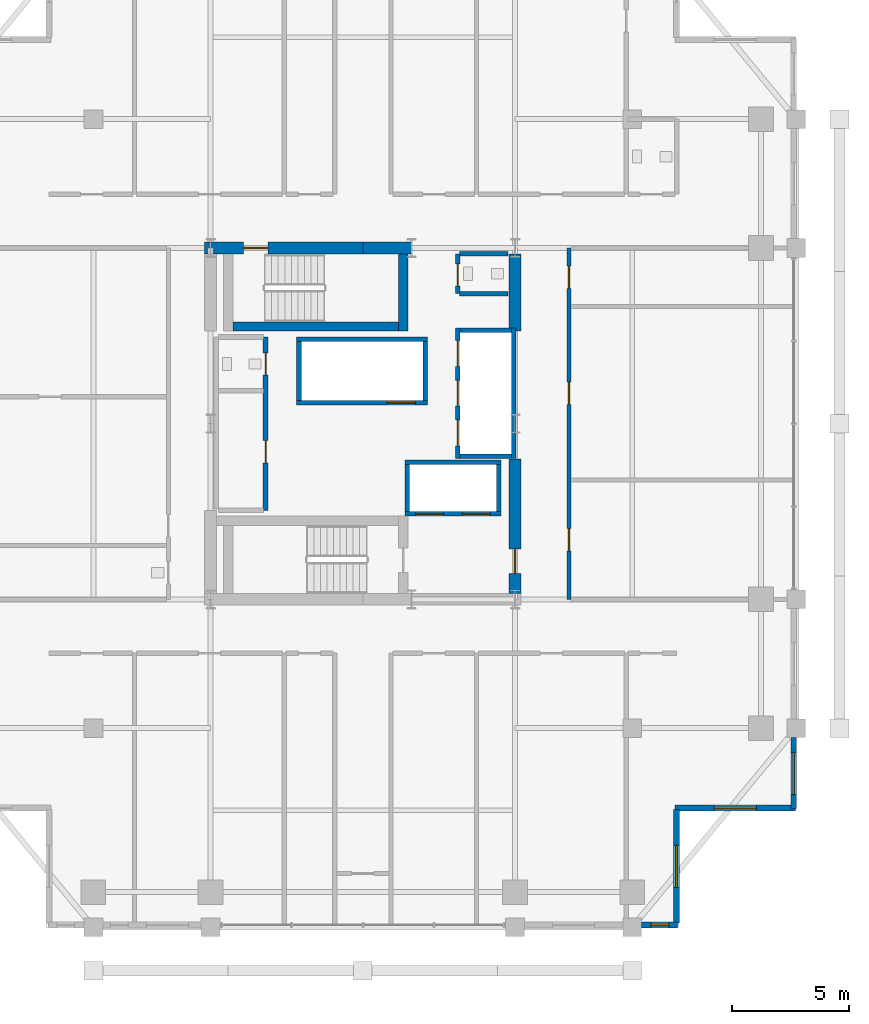
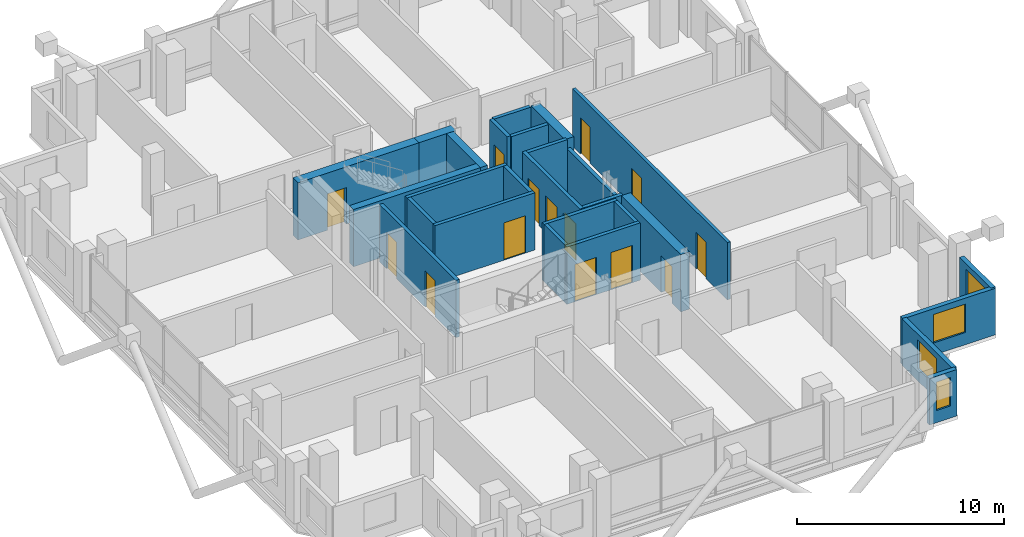
# One storey, part 19 of 23: 27 walls, 14 doors, 4 windows, 18 openings.
"""IFC4 building model written with IfcOpenShell, lengths in metres."""

from ifc_helpers import new_model, si_unit, direction, frame, frame_2d, origin, place, context, subcontext, project, spatial, rectangle, extrude, material, layer, layer_set, type_object, element, fill, save


model = new_model("IFC4")

# Units and contexts
model_context = context("Model", 3, precision=1e-05, world=origin(), true_north=direction((0.0, 1.0)))
body_context = subcontext(model_context, "Body", "Model", "MODEL_VIEW")
ifc_project = project(units=[si_unit("LENGTHUNIT", "METRE"), si_unit("AREAUNIT", "SQUARE_METRE"), si_unit("VOLUMEUNIT", "CUBIC_METRE"), si_unit("PLANEANGLEUNIT", "RADIAN"), si_unit("MASSUNIT", "GRAM", prefix="KILO")], contexts=[model_context])

# Site, building, storey
site_placement = place(None, origin())
site = spatial("IfcSite", under=ifc_project, at=site_placement, CompositionType="ELEMENT")
building_placement = place(site_placement, origin())
building = spatial("IfcBuilding", under=site, at=building_placement, Name="Barlavira Tower and Art Museum", CompositionType="ELEMENT")
storey_placement = place(building_placement, frame((0.0, 0.0, 205.199951171875)))
storey = spatial("IfcBuildingStorey", under=building, at=storey_placement, Name="L53", CompositionType="ELEMENT", Elevation=205.199951171875)

# Wall, opening, door
ifc_material_1 = material(Name="Concrete C60", Category="concrete")
ifc_layer_1 = layer(ifc_material_1, 0.5, Name="Concrete C60")
ifc_layer_set_1 = layer_set([ifc_layer_1], Name="Concrete C60")
wall_type_1 = type_object("IfcWallType", Name="Core Structural Shear Wall 500 Concrete C60", PredefinedType="SHEAR", material=ifc_layer_set_1)
wall_1_placement = place(storey_placement, frame((-6.75, 7.5, 0.0), z_axis=(0.0, 0.0, 1.0), x_axis=(1.0, 0.0, 0.0)))
wall_1 = element("IfcWall", 1, at=wall_1_placement, inside=storey, type_object=wall_type_1, Name="L53 Core Shear Wall CS-NW", PredefinedType="SHEAR", context=body_context, shape_type="SweptSolid", body=[
    extrude(rectangle(XDim=6.75, YDim=0.5, at=frame_2d((3.375, 0.0))), origin(), (0.0, 0.0, 1.0), 3.380126953125),
])
opening_1_placement = place(wall_1_placement, frame((1.64990234375, 0.0, 0.0)))
opening_1 = element("IfcOpeningElement", 2, at=opening_1_placement, cuts=wall_1, Name="Opening FD-90", PredefinedType="OPENING", context=body_context, shape_type="SweptSolid", body=[
    extrude(rectangle(XDim=1.050048828125, YDim=2.14990234375, at=frame_2d((0.52490234375, 1.074951171875))), frame((0.0, 0.260009765625, 0.0), z_axis=(0.0, -1.0, 0.0), x_axis=(1.0, 0.0, 0.0)), (0.0, 0.0, 1.0), 0.52001953125),
])
ifc_material_2 = material(Name="Brushed stainless steel", Category="steel")
door_type_1 = type_object("IfcDoorType", Name="Stair and Refuge Fire Door 1050x2150 FD90S", OperationType="NOTDEFINED", PredefinedType="DOOR", material=ifc_material_2)
door_1_placement = place(opening_1_placement, origin())
door_1 = element("IfcDoor", 3, at=door_1_placement, inside=storey, type_object=door_type_1, Name="L53 Stair ST-T2 Fire Door", OperationType="SINGLE_SWING_LEFT", OverallHeight=2.14990234375, OverallWidth=1.050048828125, PredefinedType="DOOR", context=body_context, shape_type="SweptSolid", body=[
    extrude(rectangle(XDim=1.050048828125, YDim=2.14990234375, at=frame_2d((0.52490234375, 1.074951171875))), frame((0.0, 0.02490234375, 0.0), z_axis=(0.0, -1.0, 0.0), x_axis=(1.0, 0.0, 0.0)), (0.0, 0.0, 1.0), 0.050048828125),
])
fill(opening_1, door_1)

# Wall
wall_2_placement = place(storey_placement, frame((0.0, 7.5, 0.0), z_axis=(0.0, 0.0, 1.0), x_axis=(1.0, 0.0, 0.0)))
element("IfcWall", 4, at=wall_2_placement, inside=storey, type_object=wall_type_1, Name="L53 Core Shear Wall CS-EN", PredefinedType="SHEAR", context=body_context, shape_type="SweptSolid", body=[
    extrude(rectangle(XDim=2.080078125, YDim=0.5, at=frame_2d((1.0400390625, 0.0))), origin(), (0.0, 0.0, 1.0), 3.380126953125),
])

# Wall, opening, door
wall_3_placement = place(storey_placement, frame((6.5, -7.25, 0.0), z_axis=(0.0, 0.0, 1.0), x_axis=(0.0, 1.0, 0.0)))
wall_3 = element("IfcWall", 5, at=wall_3_placement, inside=storey, type_object=wall_type_1, Name="L53 Core Shear Wall CS-E1", PredefinedType="SHEAR", context=body_context, shape_type="SweptSolid", body=[
    extrude(rectangle(XDim=5.75, YDim=0.5, at=frame_2d((2.875, 0.0))), origin(), (0.0, 0.0, 1.0), 3.380126953125),
])
opening_2_placement = place(wall_3_placement, frame((0.85009765625, 0.0, 0.0)))
opening_2 = element("IfcOpeningElement", 6, at=opening_2_placement, cuts=wall_3, Name="Opening FD-90", PredefinedType="OPENING", context=body_context, shape_type="SweptSolid", body=[
    extrude(rectangle(XDim=1.050048828125, YDim=2.14990234375, at=frame_2d((0.52490234375, 1.074951171875))), frame((0.0, 0.260009765625, 0.0), z_axis=(0.0, -1.0, 0.0), x_axis=(1.0, 0.0, 0.0)), (0.0, 0.0, 1.0), 0.52001953125),
])
door_2_placement = place(opening_2_placement, origin())
door_2 = element("IfcDoor", 7, at=door_2_placement, inside=storey, type_object=door_type_1, Name="L53 Firefighting Lobby Entry Fire Door", OperationType="SINGLE_SWING_LEFT", OverallHeight=2.14990234375, OverallWidth=1.050048828125, PredefinedType="DOOR", context=body_context, shape_type="SweptSolid", body=[
    extrude(rectangle(XDim=1.050048828125, YDim=2.14990234375, at=frame_2d((0.52490234375, 1.074951171875))), frame((0.0, 0.02490234375, 0.0), z_axis=(0.0, -1.0, 0.0), x_axis=(1.0, 0.0, 0.0)), (0.0, 0.0, 1.0), 0.050048828125),
])
fill(opening_2, door_2)

# Wall
wall_4_placement = place(storey_placement, frame((6.5, 3.949951171875, 0.0), z_axis=(0.0, 0.0, 1.0), x_axis=(0.0, 1.0, 0.0)))
element("IfcWall", 8, at=wall_4_placement, inside=storey, type_object=wall_type_1, Name="L53 Core Shear Wall CS-E2", PredefinedType="SHEAR", context=body_context, shape_type="SweptSolid", body=[
    extrude(rectangle(XDim=3.300048828125, YDim=0.5, at=frame_2d((1.64990234375, 0.0))), origin(), (0.0, 0.0, 1.0), 3.380126953125),
])

# Wall, openings, doors
ifc_material_3 = material(Name="Autoclaved aerated concrete masonry", Category="masonry")
ifc_layer_2 = layer(ifc_material_3, 0.199951171875, Name="Autoclaved aerated concrete masonry")
ifc_layer_set_2 = layer_set([ifc_layer_2], Name="Autoclaved aerated concrete masonry")
wall_type_2 = type_object("IfcWallType", Name="Fire Compartment and Shaft Wall 200", PredefinedType="SOLIDWALL", material=ifc_layer_set_2)
wall_5_placement = place(storey_placement, frame((4.050048828125, -1.489990234375, 0.0), z_axis=(0.0, 0.0, 1.0), x_axis=(0.0, 1.0, 0.0)))
wall_5 = element("IfcWall", 9, at=wall_5_placement, inside=storey, type_object=wall_type_2, Name="L53 Mid-Rise Lift Front Shaft Wall", PredefinedType="SOLIDWALL", context=body_context, shape_type="SweptSolid", body=[
    extrude(rectangle(XDim=5.580078125, YDim=0.199951171875, at=frame_2d((2.7900390625, 0.0))), origin(), (0.0, 0.0, 1.0), 3.380126953125),
])
opening_3_placement = place(wall_5_placement, frame((0.5400390625, 0.0, 0.0)))
opening_3 = element("IfcOpeningElement", 10, at=opening_3_placement, cuts=wall_5, Name="Opening LD-P", PredefinedType="OPENING", context=body_context, shape_type="SweptSolid", body=[
    extrude(rectangle(XDim=1.10009765625, YDim=2.14990234375, at=frame_2d((0.550048828125, 1.074951171875))), frame((0.0, 0.10986328125, 0.0), z_axis=(0.0, -1.0, 0.0), x_axis=(1.0, 0.0, 0.0)), (0.0, 0.0, 1.0), 0.219970703125),
])
opening_4_placement = place(wall_5_placement, frame((2.239990234375, 0.0, 0.0)))
opening_4 = element("IfcOpeningElement", 11, at=opening_4_placement, cuts=wall_5, Name="Opening LD-P", PredefinedType="OPENING", context=body_context, shape_type="SweptSolid", body=[
    extrude(rectangle(XDim=1.10009765625, YDim=2.14990234375, at=frame_2d((0.550048828125, 1.074951171875))), frame((0.0, 0.10986328125, 0.0), z_axis=(0.0, -1.0, 0.0), x_axis=(1.0, 0.0, 0.0)), (0.0, 0.0, 1.0), 0.219970703125),
])
opening_5_placement = place(wall_5_placement, frame((3.93994140625, 0.0, 0.0)))
opening_5 = element("IfcOpeningElement", 12, at=opening_5_placement, cuts=wall_5, Name="Opening LD-P", PredefinedType="OPENING", context=body_context, shape_type="SweptSolid", body=[
    extrude(rectangle(XDim=1.10009765625, YDim=2.14990234375, at=frame_2d((0.550048828125, 1.074951171875))), frame((0.0, 0.10986328125, 0.0), z_axis=(0.0, -1.0, 0.0), x_axis=(1.0, 0.0, 0.0)), (0.0, 0.0, 1.0), 0.219970703125),
])
door_type_2 = type_object("IfcDoorType", Name="Passenger Lift Sliding Landing Door 1100x2150 FD60", OperationType="NOTDEFINED", PredefinedType="DOOR", material=ifc_material_2)
door_3_placement = place(opening_3_placement, origin())
door_3 = element("IfcDoor", 13, at=door_3_placement, inside=storey, type_object=door_type_2, Name="L53 Lift PM1 Sliding Landing Door", OperationType="DOUBLE_DOOR_SLIDING", OverallHeight=2.14990234375, OverallWidth=1.10009765625, PredefinedType="DOOR", context=body_context, shape_type="SweptSolid", body=[
    extrude(rectangle(XDim=1.10009765625, YDim=2.14990234375, at=frame_2d((0.550048828125, 1.074951171875))), frame((0.0, 0.02490234375, 0.0), z_axis=(0.0, -1.0, 0.0), x_axis=(1.0, 0.0, 0.0)), (0.0, 0.0, 1.0), 0.050048828125),
])
fill(opening_3, door_3)
door_4_placement = place(opening_4_placement, origin())
door_4 = element("IfcDoor", 14, at=door_4_placement, inside=storey, type_object=door_type_2, Name="L53 Lift PM2 Sliding Landing Door", OperationType="DOUBLE_DOOR_SLIDING", OverallHeight=2.14990234375, OverallWidth=1.10009765625, PredefinedType="DOOR", context=body_context, shape_type="SweptSolid", body=[
    extrude(rectangle(XDim=1.10009765625, YDim=2.14990234375, at=frame_2d((0.550048828125, 1.074951171875))), frame((0.0, 0.02490234375, 0.0), z_axis=(0.0, -1.0, 0.0), x_axis=(1.0, 0.0, 0.0)), (0.0, 0.0, 1.0), 0.050048828125),
])
fill(opening_4, door_4)
door_5_placement = place(opening_5_placement, origin())
door_5 = element("IfcDoor", 15, at=door_5_placement, inside=storey, type_object=door_type_2, Name="L53 Lift PM3 Sliding Landing Door", OperationType="DOUBLE_DOOR_SLIDING", OverallHeight=2.14990234375, OverallWidth=1.10009765625, PredefinedType="DOOR", context=body_context, shape_type="SweptSolid", body=[
    extrude(rectangle(XDim=1.10009765625, YDim=2.14990234375, at=frame_2d((0.550048828125, 1.074951171875))), frame((0.0, 0.02490234375, 0.0), z_axis=(0.0, -1.0, 0.0), x_axis=(1.0, 0.0, 0.0)), (0.0, 0.0, 1.0), 0.050048828125),
])
fill(opening_5, door_5)

# Walls
wall_6_placement = place(storey_placement, frame((6.449951171875, -1.489990234375, 0.0), z_axis=(0.0, 0.0, 1.0), x_axis=(0.0, 1.0, 0.0)))
element("IfcWall", 16, at=wall_6_placement, inside=storey, type_object=wall_type_2, Name="L53 Mid-Rise Lift Back Shaft Wall", PredefinedType="SOLIDWALL", context=body_context, shape_type="SweptSolid", body=[
    extrude(rectangle(XDim=5.580078125, YDim=0.199951171875, at=frame_2d((2.7900390625, 0.0))), origin(), (0.0, 0.0, 1.0), 2.825927734375),
])
for number, where, z_axis, x_axis, name in (
    (17, (4.14990234375, -1.389892578125, 0.0), (0.0, 0.0, 1.0), (1.0, 0.0, 0.0), "L53 Mid-Rise Lift South Shaft Wall"),
    (18, (4.14990234375, 3.989990234375, 0.0), (0.0, 0.0, 1.0), (1.0, 0.0, 0.0), "L53 Mid-Rise Lift North Shaft Wall"),
):
    element("IfcWall", number, at=place(storey_placement, frame(where, z_axis=z_axis, x_axis=x_axis)), inside=storey, type_object=wall_type_2, Name=name, PredefinedType="SOLIDWALL", context=body_context, shape_type="SweptSolid", body=[
        extrude(rectangle(XDim=2.2001953125, YDim=0.199951171875, at=frame_2d((1.10009765625, 0.0))), origin(), (0.0, 0.0, 1.0), 3.380126953125),
    ])

# Wall, opening, door
wall_7_placement = place(storey_placement, frame((-2.820068359375, 0.89990234375, 0.0), z_axis=(0.0, 0.0, 1.0), x_axis=(1.0, 0.0, 0.0)))
wall_7 = element("IfcWall", 19, at=wall_7_placement, inside=storey, type_object=wall_type_2, Name="L53 High-Rise & Service Lift Front Wall", PredefinedType="SOLIDWALL", context=body_context, shape_type="SweptSolid", body=[
    extrude(rectangle(XDim=5.580078125, YDim=0.199951171875, at=frame_2d((2.7900390625, 0.0))), origin(), (0.0, 0.0, 1.0), 3.380126953125),
])
opening_6_placement = place(wall_7_placement, frame((3.860107421875, 0.0, 0.0)))
opening_6 = element("IfcOpeningElement", 20, at=opening_6_placement, cuts=wall_7, Name="Opening LD-F", PredefinedType="OPENING", context=body_context, shape_type="SweptSolid", body=[
    extrude(rectangle(XDim=1.199951171875, YDim=2.199951171875, at=frame_2d((0.60009765625, 1.10009765625))), frame((0.0, 0.10986328125, 0.0), z_axis=(0.0, -1.0, 0.0), x_axis=(1.0, 0.0, 0.0)), (0.0, 0.0, 1.0), 0.219970703125),
])
door_type_3 = type_object("IfcDoorType", Name="Firefighting and Service Lift Sliding Door 1200x2200 FD120", OperationType="NOTDEFINED", PredefinedType="DOOR", material=ifc_material_2)
door_6_placement = place(opening_6_placement, origin())
door_6 = element("IfcDoor", 21, at=door_6_placement, inside=storey, type_object=door_type_3, Name="L53 Stretcher Service Lift SL1 Sliding Door", OperationType="DOUBLE_DOOR_SLIDING", OverallHeight=2.199951171875, OverallWidth=1.199951171875, PredefinedType="DOOR", context=body_context, shape_type="SweptSolid", body=[
    extrude(rectangle(XDim=1.199951171875, YDim=2.199951171875, at=frame_2d((0.60009765625, 1.10009765625))), frame((0.0, 0.02490234375, 0.0), z_axis=(0.0, -1.0, 0.0), x_axis=(1.0, 0.0, 0.0)), (0.0, 0.0, 1.0), 0.050048828125),
])
fill(opening_6, door_6)

# Walls
wall_8_placement = place(storey_placement, frame((-2.820068359375, 3.60009765625, 0.0), z_axis=(0.0, 0.0, 1.0), x_axis=(1.0, 0.0, 0.0)))
element("IfcWall", 22, at=wall_8_placement, inside=storey, type_object=wall_type_2, Name="L53 High-Rise & Service Lift Back Wall", PredefinedType="SOLIDWALL", context=body_context, shape_type="SweptSolid", body=[
    extrude(rectangle(XDim=5.580078125, YDim=0.199951171875, at=frame_2d((2.7900390625, 0.0))), origin(), (0.0, 0.0, 1.0), 3.380126953125),
])
for number, where, z_axis, x_axis, name in (
    (23, (-2.719970703125, 1.0, 0.0), (0.0, 0.0, 1.0), (0.0, 1.0, 0.0), "L53 High-Rise & Service Lift West Wall"),
    (24, (2.659912109375, 1.0, 0.0), (0.0, 0.0, 1.0), (0.0, 1.0, 0.0), "L53 High-Rise & Service Lift East Wall"),
):
    element("IfcWall", number, at=place(storey_placement, frame(where, z_axis=z_axis, x_axis=x_axis)), inside=storey, type_object=wall_type_2, Name=name, PredefinedType="SOLIDWALL", context=body_context, shape_type="SweptSolid", body=[
        extrude(rectangle(XDim=2.5, YDim=0.199951171875, at=frame_2d((1.25, 0.0))), origin(), (0.0, 0.0, 1.0), 3.380126953125),
    ])

# Wall, openings, doors
wall_9_placement = place(storey_placement, frame((1.800048828125, -3.85009765625, 0.0), z_axis=(0.0, 0.0, 1.0), x_axis=(1.0, 0.0, 0.0)))
wall_9 = element("IfcWall", 25, at=wall_9_placement, inside=storey, type_object=wall_type_2, Name="L53 Firefighting Lift Front Shaft Wall", PredefinedType="SOLIDWALL", context=body_context, shape_type="SweptSolid", body=[
    extrude(rectangle(XDim=4.099853515625, YDim=0.199951171875, at=frame_2d((2.0498046875, 0.0))), origin(), (0.0, 0.0, 1.0), 3.380126953125),
])
opening_7_placement = place(wall_9_placement, frame((0.449951171875, 0.0, 0.0)))
opening_7 = element("IfcOpeningElement", 26, at=opening_7_placement, cuts=wall_9, Name="Opening LD-F", PredefinedType="OPENING", context=body_context, shape_type="SweptSolid", body=[
    extrude(rectangle(XDim=1.199951171875, YDim=2.199951171875, at=frame_2d((0.60009765625, 1.10009765625))), frame((0.0, 0.10986328125, 0.0), z_axis=(0.0, -1.0, 0.0), x_axis=(1.0, 0.0, 0.0)), (0.0, 0.0, 1.0), 0.219970703125),
])
opening_8_placement = place(wall_9_placement, frame((2.449951171875, 0.0, 0.0)))
opening_8 = element("IfcOpeningElement", 27, at=opening_8_placement, cuts=wall_9, Name="Opening LD-F", PredefinedType="OPENING", context=body_context, shape_type="SweptSolid", body=[
    extrude(rectangle(XDim=1.199951171875, YDim=2.199951171875, at=frame_2d((0.60009765625, 1.10009765625))), frame((0.0, 0.10986328125, 0.0), z_axis=(0.0, -1.0, 0.0), x_axis=(1.0, 0.0, 0.0)), (0.0, 0.0, 1.0), 0.219970703125),
])
door_7_placement = place(opening_7_placement, origin())
door_7 = element("IfcDoor", 28, at=door_7_placement, inside=storey, type_object=door_type_3, Name="L53 Firefighting Lift FF1 Sliding Door", OperationType="DOUBLE_DOOR_SLIDING", OverallHeight=2.199951171875, OverallWidth=1.199951171875, PredefinedType="DOOR", context=body_context, shape_type="SweptSolid", body=[
    extrude(rectangle(XDim=1.199951171875, YDim=2.199951171875, at=frame_2d((0.60009765625, 1.10009765625))), frame((0.0, 0.02490234375, 0.0), z_axis=(0.0, -1.0, 0.0), x_axis=(1.0, 0.0, 0.0)), (0.0, 0.0, 1.0), 0.050048828125),
])
fill(opening_7, door_7)
door_8_placement = place(opening_8_placement, origin())
door_8 = element("IfcDoor", 29, at=door_8_placement, inside=storey, type_object=door_type_3, Name="L53 Firefighting Lift FF2 Sliding Door", OperationType="DOUBLE_DOOR_SLIDING", OverallHeight=2.199951171875, OverallWidth=1.199951171875, PredefinedType="DOOR", context=body_context, shape_type="SweptSolid", body=[
    extrude(rectangle(XDim=1.199951171875, YDim=2.199951171875, at=frame_2d((0.60009765625, 1.10009765625))), frame((0.0, 0.02490234375, 0.0), z_axis=(0.0, -1.0, 0.0), x_axis=(1.0, 0.0, 0.0)), (0.0, 0.0, 1.0), 0.050048828125),
])
fill(opening_8, door_8)

# Walls
wall_10_placement = place(storey_placement, frame((1.800048828125, -1.64990234375, 0.0), z_axis=(0.0, 0.0, 1.0), x_axis=(1.0, 0.0, 0.0)))
element("IfcWall", 30, at=wall_10_placement, inside=storey, type_object=wall_type_2, Name="L53 Firefighting Lift Back Shaft Wall", PredefinedType="SOLIDWALL", context=body_context, shape_type="SweptSolid", body=[
    extrude(rectangle(XDim=4.099853515625, YDim=0.199951171875, at=frame_2d((2.0498046875, 0.0))), origin(), (0.0, 0.0, 1.0), 3.380126953125),
])
for number, where, z_axis, x_axis, name in (
    (31, (1.89990234375, -3.75, 0.0), (0.0, 0.0, 1.0), (0.0, 1.0, 0.0), "L53 Firefighting Lift West Shaft Wall"),
    (32, (5.800048828125, -3.75, 0.0), (0.0, 0.0, 1.0), (0.0, 1.0, 0.0), "L53 Firefighting Lift East Shaft Wall"),
):
    element("IfcWall", number, at=place(storey_placement, frame(where, z_axis=z_axis, x_axis=x_axis)), inside=storey, type_object=wall_type_2, Name=name, PredefinedType="SOLIDWALL", context=body_context, shape_type="SweptSolid", body=[
        extrude(rectangle(XDim=2.0, YDim=0.199951171875, at=frame_2d((1.0, 0.0))), origin(), (0.0, 0.0, 1.0), 3.380126953125),
    ])

# Wall, openings, doors
wall_11_placement = place(storey_placement, frame((-4.14990234375, -3.699951171875, 0.0), z_axis=(0.0, 0.0, 1.0), x_axis=(0.0, 1.0, 0.0)))
wall_11 = element("IfcWall", 33, at=wall_11_placement, inside=storey, type_object=wall_type_2, Name="L53 Partition Wall 5", PredefinedType="SOLIDWALL", context=body_context, shape_type="SweptSolid", body=[
    extrude(rectangle(XDim=7.39990234375, YDim=0.199951171875, at=frame_2d((3.699951171875, 0.0))), origin(), (0.0, 0.0, 1.0), 3.380126953125),
])
opening_9_placement = place(wall_11_placement, frame((2.02490234375, 0.0, 0.0)))
opening_9 = element("IfcOpeningElement", 34, at=opening_9_placement, cuts=wall_11, Name="Opening FD-60", PredefinedType="OPENING", context=body_context, shape_type="SweptSolid", body=[
    extrude(rectangle(XDim=0.949951171875, YDim=2.14990234375, at=frame_2d((0.47509765625, 1.074951171875))), frame((0.0, 0.10986328125, 0.0), z_axis=(0.0, -1.0, 0.0), x_axis=(1.0, 0.0, 0.0)), (0.0, 0.0, 1.0), 0.219970703125),
])
opening_10_placement = place(wall_11_placement, frame((5.77490234375, 0.0, 0.0)))
opening_10 = element("IfcOpeningElement", 35, at=opening_10_placement, cuts=wall_11, Name="Opening FD-60", PredefinedType="OPENING", context=body_context, shape_type="SweptSolid", body=[
    extrude(rectangle(XDim=0.949951171875, YDim=2.14990234375, at=frame_2d((0.47509765625, 1.074951171875))), frame((0.0, 0.10986328125, 0.0), z_axis=(0.0, -1.0, 0.0), x_axis=(1.0, 0.0, 0.0)), (0.0, 0.0, 1.0), 0.219970703125),
])
door_type_4 = type_object("IfcDoorType", Name="Apartment Entrance and Riser Fire Door 950x2150 FD60S", OperationType="NOTDEFINED", PredefinedType="DOOR", material=ifc_material_2)
door_9_placement = place(opening_9_placement, origin())
door_9 = element("IfcDoor", 36, at=door_9_placement, inside=storey, type_object=door_type_4, Name="Reclaimed Core Resident Parcel Room Door", OperationType="SINGLE_SWING_LEFT", OverallHeight=2.14990234375, OverallWidth=0.949951171875, PredefinedType="DOOR", context=body_context, shape_type="SweptSolid", body=[
    extrude(rectangle(XDim=0.949951171875, YDim=2.14990234375, at=frame_2d((0.47509765625, 1.074951171875))), frame((0.0, 0.02490234375, 0.0), z_axis=(0.0, -1.0, 0.0), x_axis=(1.0, 0.0, 0.0)), (0.0, 0.0, 1.0), 0.050048828125),
])
fill(opening_9, door_9)
door_10_placement = place(opening_10_placement, origin())
door_10 = element("IfcDoor", 37, at=door_10_placement, inside=storey, type_object=door_type_4, Name="Reclaimed Core Accessible WC Door", OperationType="SINGLE_SWING_RIGHT", OverallHeight=2.14990234375, OverallWidth=0.949951171875, PredefinedType="DOOR", context=body_context, shape_type="SweptSolid", body=[
    extrude(rectangle(XDim=0.949951171875, YDim=2.14990234375, at=frame_2d((0.47509765625, 1.074951171875))), frame((0.0, 0.02490234375, 0.0), z_axis=(0.0, -1.0, 0.0), x_axis=(1.0, 0.0, 0.0)), (0.0, 0.0, 1.0), 0.050048828125),
])
fill(opening_10, door_10)

# Wall, opening, door
wall_12_placement = place(storey_placement, frame((4.050048828125, 5.550048828125, 0.0), z_axis=(0.0, 0.0, 1.0), x_axis=(0.0, 1.0, 0.0)))
wall_12 = element("IfcWall", 38, at=wall_12_placement, inside=storey, type_object=wall_type_2, Name="L53 Partition Wall 12", PredefinedType="SOLIDWALL", context=body_context, shape_type="SweptSolid", body=[
    extrude(rectangle(XDim=1.699951171875, YDim=0.199951171875, at=frame_2d((0.85009765625, 0.0))), origin(), (0.0, 0.0, 1.0), 3.380126953125),
])
opening_11_placement = place(wall_12_placement, frame((0.324951171875, 0.0, 0.0)))
opening_11 = element("IfcOpeningElement", 39, at=opening_11_placement, cuts=wall_12, Name="Opening FD-60", PredefinedType="OPENING", context=body_context, shape_type="SweptSolid", body=[
    extrude(rectangle(XDim=0.949951171875, YDim=2.14990234375, at=frame_2d((0.47509765625, 1.074951171875))), frame((0.0, 0.10986328125, 0.0), z_axis=(0.0, -1.0, 0.0), x_axis=(1.0, 0.0, 0.0)), (0.0, 0.0, 1.0), 0.219970703125),
])
door_11_placement = place(opening_11_placement, origin())
door_11 = element("IfcDoor", 40, at=door_11_placement, inside=storey, type_object=door_type_4, Name="Core Accessible Washroom Door", OperationType="SINGLE_SWING_LEFT", OverallHeight=2.14990234375, OverallWidth=0.949951171875, PredefinedType="DOOR", context=body_context, shape_type="SweptSolid", body=[
    extrude(rectangle(XDim=0.949951171875, YDim=2.14990234375, at=frame_2d((0.47509765625, 1.074951171875))), frame((0.0, 0.02490234375, 0.0), z_axis=(0.0, -1.0, 0.0), x_axis=(1.0, 0.0, 0.0)), (0.0, 0.0, 1.0), 0.050048828125),
])
fill(opening_11, door_11)

# Walls
for number, where, z_axis, x_axis, name in (
    (41, (4.1298828125, 5.550048828125, 0.0), (0.0, 0.0, 1.0), (1.0, 0.0, 0.0), "L53 Partition Wall 35"),
    (42, (4.1298828125, 7.25, 0.0), (0.0, 0.0, 1.0), (1.0, 0.0, 0.0), "L53 Partition Wall 36"),
):
    element("IfcWall", number, at=place(storey_placement, frame(where, z_axis=z_axis, x_axis=x_axis)), inside=storey, type_object=wall_type_2, Name=name, PredefinedType="SOLIDWALL", context=body_context, shape_type="SweptSolid", body=[
        extrude(rectangle(XDim=2.070068359375, YDim=0.199951171875, at=frame_2d((1.03515625, 0.0))), origin(), (0.0, 0.0, 1.0), 3.380126953125),
    ])

# Wall, openings, doors
ifc_material_4 = material(Name="Gypsum acoustic stud partition", Category="gypsum")
ifc_layer_3 = layer(ifc_material_4, 0.179931640625, Name="Gypsum acoustic stud partition")
ifc_layer_set_3 = layer_set([ifc_layer_3], Name="Gypsum acoustic stud partition")
wall_type_3 = type_object("IfcWallType", Name="Inter-Tenancy Party Partition Wall 180", PredefinedType="PARTITIONING", material=ifc_layer_set_3)
wall_13_placement = place(storey_placement, frame((8.800048828125, -7.5, 0.0), z_axis=(0.0, 0.0, 1.0), x_axis=(0.0, 1.0, 0.0)))
wall_13 = element("IfcWall", 43, at=wall_13_placement, inside=storey, type_object=wall_type_3, Name="L53 Partition Wall 15", PredefinedType="PARTITIONING", context=body_context, shape_type="SweptSolid", body=[
    extrude(rectangle(XDim=15.0, YDim=0.179931640625, at=frame_2d((7.5, 0.0))), origin(), (0.0, 0.0, 1.0), 3.380126953125),
])
opening_12_placement = place(wall_13_placement, frame((2.074951171875, 0.0, 0.0)))
opening_12 = element("IfcOpeningElement", 44, at=opening_12_placement, cuts=wall_13, Name="Opening FD-60", PredefinedType="OPENING", context=body_context, shape_type="SweptSolid", body=[
    extrude(rectangle(XDim=0.949951171875, YDim=2.14990234375, at=frame_2d((0.47509765625, 1.074951171875))), frame((0.0, 0.10009765625, 0.0), z_axis=(0.0, -1.0, 0.0), x_axis=(1.0, 0.0, 0.0)), (0.0, 0.0, 1.0), 0.199951171875),
])
opening_13_placement = place(wall_13_placement, frame((8.324951171875, 0.0, 0.0)))
opening_13 = element("IfcOpeningElement", 45, at=opening_13_placement, cuts=wall_13, Name="Opening FD-60", PredefinedType="OPENING", context=body_context, shape_type="SweptSolid", body=[
    extrude(rectangle(XDim=0.949951171875, YDim=2.14990234375, at=frame_2d((0.47509765625, 1.074951171875))), frame((0.0, 0.10009765625, 0.0), z_axis=(0.0, -1.0, 0.0), x_axis=(1.0, 0.0, 0.0)), (0.0, 0.0, 1.0), 0.199951171875),
])
opening_14_placement = place(wall_13_placement, frame((13.27490234375, 0.0, 0.0)))
opening_14 = element("IfcOpeningElement", 46, at=opening_14_placement, cuts=wall_13, Name="Opening FD-60", PredefinedType="OPENING", context=body_context, shape_type="SweptSolid", body=[
    extrude(rectangle(XDim=0.949951171875, YDim=2.14990234375, at=frame_2d((0.47509765625, 1.074951171875))), frame((0.0, 0.10009765625, 0.0), z_axis=(0.0, -1.0, 0.0), x_axis=(1.0, 0.0, 0.0)), (0.0, 0.0, 1.0), 0.199951171875),
])
door_12_placement = place(opening_12_placement, origin())
door_12 = element("IfcDoor", 47, at=door_12_placement, inside=storey, type_object=door_type_4, Name="Resident Rare-Book Reading Room Door", OperationType="SINGLE_SWING_RIGHT", OverallHeight=2.14990234375, OverallWidth=0.949951171875, PredefinedType="DOOR", context=body_context, shape_type="SweptSolid", body=[
    extrude(rectangle(XDim=0.949951171875, YDim=2.14990234375, at=frame_2d((0.47509765625, 1.074951171875))), frame((0.0, 0.02490234375, 0.0), z_axis=(0.0, -1.0, 0.0), x_axis=(1.0, 0.0, 0.0)), (0.0, 0.0, 1.0), 0.050048828125),
])
fill(opening_12, door_12)
door_13_placement = place(opening_13_placement, origin())
door_13 = element("IfcDoor", 48, at=door_13_placement, inside=storey, type_object=door_type_4, Name="Private Coastal Dining Salon Door", OperationType="SINGLE_SWING_LEFT", OverallHeight=2.14990234375, OverallWidth=0.949951171875, PredefinedType="DOOR", context=body_context, shape_type="SweptSolid", body=[
    extrude(rectangle(XDim=0.949951171875, YDim=2.14990234375, at=frame_2d((0.47509765625, 1.074951171875))), frame((0.0, 0.02490234375, 0.0), z_axis=(0.0, -1.0, 0.0), x_axis=(1.0, 0.0, 0.0)), (0.0, 0.0, 1.0), 0.050048828125),
])
fill(opening_13, door_13)
door_14_placement = place(opening_14_placement, origin())
door_14 = element("IfcDoor", 49, at=door_14_placement, inside=storey, type_object=door_type_4, Name="Shared Catering Kitchen Door", OperationType="SINGLE_SWING_RIGHT", OverallHeight=2.14990234375, OverallWidth=0.949951171875, PredefinedType="DOOR", context=body_context, shape_type="SweptSolid", body=[
    extrude(rectangle(XDim=0.949951171875, YDim=2.14990234375, at=frame_2d((0.47509765625, 1.074951171875))), frame((0.0, 0.02490234375, 0.0), z_axis=(0.0, -1.0, 0.0), x_axis=(1.0, 0.0, 0.0)), (0.0, 0.0, 1.0), 0.050048828125),
])
fill(opening_14, door_14)

# Wall, opening, window
ifc_material_5 = material(Name="Precast concrete C40", Category="concrete")
ifc_layer_4 = layer(ifc_material_5, 0.25, Name="Precast concrete C40")
ifc_layer_set_4 = layer_set([ifc_layer_4], Name="Precast concrete C40")
wall_type_4 = type_object("IfcWallType", Name="Notched Corner Spandrel Wall 250 Precast Concrete C40", PredefinedType="SOLIDWALL", material=ifc_layer_set_4)
wall_14_placement = place(storey_placement, frame((11.89501953125, -21.39990234375, 0.0), z_axis=(0.0, 0.0, 1.0), x_axis=(1.0, 0.0, 0.0)))
wall_14 = element("IfcWall", 50, at=wall_14_placement, inside=storey, type_object=wall_type_4, Name="L53 Coastal Facade Pier Wall CW3-L53-S-5", PredefinedType="SOLIDWALL", context=body_context, shape_type="SweptSolid", body=[
    extrude(rectangle(XDim=1.530029296875, YDim=0.25, at=frame_2d((0.76513671875, 0.0))), origin(), (0.0, 0.0, 1.0), 2.748046875),
])
opening_15_placement = place(wall_14_placement, frame((0.407958984375, 0.0, 0.719970703125)))
opening_15 = element("IfcOpeningElement", 51, at=opening_15_placement, cuts=wall_14, Name="Opening WN-06", PredefinedType="OPENING", context=body_context, shape_type="SweptSolid", body=[
    extrude(rectangle(XDim=0.760009765625, YDim=1.679931640625, at=frame_2d((0.3798828125, 0.83984375))), frame((0.0, 0.135009765625, 0.0), z_axis=(0.0, -1.0, 0.0), x_axis=(1.0, 0.0, 0.0)), (0.0, 0.0, 1.0), 0.27001953125),
])
ifc_material_6 = material(Name="Low-iron coastal laminated glass", Category="glass")
window_type_1 = type_object("IfcWindowType", Name="Recessed Narrow Pier Window 760x1680", PartitioningType="SINGLE_PANEL", PredefinedType="WINDOW", material=ifc_material_6)
window_1_placement = place(opening_15_placement, origin())
window_1 = element("IfcWindow", 52, at=window_1_placement, inside=storey, type_object=window_type_1, Name="L53 Punched Facade Window EWP-CW3-L53-S-5-1", OverallHeight=1.679931640625, OverallWidth=0.760009765625, PartitioningType="SINGLE_PANEL", PredefinedType="WINDOW", context=body_context, shape_type="SweptSolid", body=[
    extrude(rectangle(XDim=0.760009765625, YDim=1.679931640625, at=frame_2d((0.3798828125, 0.83984375))), frame((0.0, 0.030029296875, 0.0), z_axis=(0.0, -1.0, 0.0), x_axis=(1.0, 0.0, 0.0)), (0.0, 0.0, 1.0), 0.06005859375),
])
fill(opening_15, window_1)

wall_15_placement = place(storey_placement, frame((18.39990234375, -16.425048828125, 0.0), z_axis=(0.0, 0.0, 1.0), x_axis=(0.0, 1.0, 0.0)))
wall_15 = element("IfcWall", 53, at=wall_15_placement, inside=storey, type_object=wall_type_4, Name="L53 Coastal Facade Pier Wall CW3-L53-E-1", PredefinedType="SOLIDWALL", context=body_context, shape_type="SweptSolid", body=[
    extrude(rectangle(XDim=3.030029296875, YDim=0.25, at=frame_2d((1.51513671875, 0.0))), origin(), (0.0, 0.0, 1.0), 2.748046875),
])
opening_16_placement = place(wall_15_placement, frame((0.593017578125, 0.0, 0.719970703125)))
opening_16 = element("IfcOpeningElement", 54, at=opening_16_placement, cuts=wall_15, Name="Opening WN-01", PredefinedType="OPENING", context=body_context, shape_type="SweptSolid", body=[
    extrude(rectangle(XDim=1.800048828125, YDim=1.679931640625, at=frame_2d((0.89990234375, 0.83984375))), frame((0.0, 0.135009765625, 0.0), z_axis=(0.0, -1.0, 0.0), x_axis=(1.0, 0.0, 0.0)), (0.0, 0.0, 1.0), 0.27001953125),
])
window_type_2 = type_object("IfcWindowType", Name="Recessed Notch Corner Punch Window 1800x1680", PartitioningType="SINGLE_PANEL", PredefinedType="WINDOW", material=ifc_material_6)
window_2_placement = place(opening_16_placement, origin())
window_2 = element("IfcWindow", 55, at=window_2_placement, inside=storey, type_object=window_type_2, Name="L53 Punched Facade Window EWP-CW3-L53-E-1-1", OverallHeight=1.679931640625, OverallWidth=1.800048828125, PartitioningType="SINGLE_PANEL", PredefinedType="WINDOW", context=body_context, shape_type="SweptSolid", body=[
    extrude(rectangle(XDim=1.800048828125, YDim=1.679931640625, at=frame_2d((0.89990234375, 0.83984375))), frame((0.0, 0.030029296875, 0.0), z_axis=(0.0, -1.0, 0.0), x_axis=(1.0, 0.0, 0.0)), (0.0, 0.0, 1.0), 0.06005859375),
])
fill(opening_16, window_2)

wall_16_placement = place(storey_placement, frame((13.39990234375, -21.320068359375, 0.0), z_axis=(0.0, 0.0, 1.0), x_axis=(0.0, 1.0, 0.0)))
wall_16 = element("IfcWall", 56, at=wall_16_placement, inside=storey, type_object=wall_type_4, Name="L53 Notch Corner Wall SE1", PredefinedType="SOLIDWALL", context=body_context, shape_type="SweptSolid", body=[
    extrude(rectangle(XDim=4.840087890625, YDim=0.25, at=frame_2d((2.419921875, 0.0))), origin(), (0.0, 0.0, 1.0), 2.748046875),
])
opening_17_placement = place(wall_16_placement, frame((1.52001953125, 0.0, 0.719970703125)))
opening_17 = element("IfcOpeningElement", 57, at=opening_17_placement, cuts=wall_16, Name="Opening WN-01", PredefinedType="OPENING", context=body_context, shape_type="SweptSolid", body=[
    extrude(rectangle(XDim=1.800048828125, YDim=1.679931640625, at=frame_2d((0.89990234375, 0.83984375))), frame((0.0, 0.135009765625, 0.0), z_axis=(0.0, -1.0, 0.0), x_axis=(1.0, 0.0, 0.0)), (0.0, 0.0, 1.0), 0.27001953125),
])
window_3_placement = place(opening_17_placement, origin())
window_3 = element("IfcWindow", 58, at=window_3_placement, inside=storey, type_object=window_type_2, Name="L53 Punched Facade Window EW-NTC-L53-SE1-1", OverallHeight=1.679931640625, OverallWidth=1.800048828125, PartitioningType="SINGLE_PANEL", PredefinedType="WINDOW", context=body_context, shape_type="SweptSolid", body=[
    extrude(rectangle(XDim=1.800048828125, YDim=1.679931640625, at=frame_2d((0.89990234375, 0.83984375))), frame((0.0, 0.030029296875, 0.0), z_axis=(0.0, -1.0, 0.0), x_axis=(1.0, 0.0, 0.0)), (0.0, 0.0, 1.0), 0.06005859375),
])
fill(opening_17, window_3)

wall_17_placement = place(storey_placement, frame((13.320068359375, -16.39990234375, 0.0), z_axis=(0.0, 0.0, 1.0), x_axis=(1.0, 0.0, 0.0)))
wall_17 = element("IfcWall", 59, at=wall_17_placement, inside=storey, type_object=wall_type_4, Name="L53 Notch Corner Wall SE2", PredefinedType="SOLIDWALL", context=body_context, shape_type="SweptSolid", body=[
    extrude(rectangle(XDim=5.159912109375, YDim=0.25, at=frame_2d((2.580078125, 0.0))), origin(), (0.0, 0.0, 1.0), 2.748046875),
])
opening_18_placement = place(wall_17_placement, frame((1.679931640625, 0.0, 0.719970703125)))
opening_18 = element("IfcOpeningElement", 60, at=opening_18_placement, cuts=wall_17, Name="Opening WN-01", PredefinedType="OPENING", context=body_context, shape_type="SweptSolid", body=[
    extrude(rectangle(XDim=1.800048828125, YDim=1.679931640625, at=frame_2d((0.89990234375, 0.83984375))), frame((0.0, 0.135009765625, 0.0), z_axis=(0.0, -1.0, 0.0), x_axis=(1.0, 0.0, 0.0)), (0.0, 0.0, 1.0), 0.27001953125),
])
window_4_placement = place(opening_18_placement, origin())
window_4 = element("IfcWindow", 61, at=window_4_placement, inside=storey, type_object=window_type_2, Name="L53 Punched Facade Window EW-NTC-L53-SE2-1", OverallHeight=1.679931640625, OverallWidth=1.800048828125, PartitioningType="SINGLE_PANEL", PredefinedType="WINDOW", context=body_context, shape_type="SweptSolid", body=[
    extrude(rectangle(XDim=1.800048828125, YDim=1.679931640625, at=frame_2d((0.89990234375, 0.83984375))), frame((0.0, 0.030029296875, 0.0), z_axis=(0.0, -1.0, 0.0), x_axis=(1.0, 0.0, 0.0)), (0.0, 0.0, 1.0), 0.06005859375),
])
fill(opening_18, window_4)

# Walls
ifc_material_7 = material(Name="Concrete C55", Category="concrete")
ifc_layer_5 = layer(ifc_material_7, 0.39990234375, Name="Concrete C55")
ifc_layer_set_5 = layer_set([ifc_layer_5], Name="Concrete C55")
wall_type_5 = type_object("IfcWallType", Name="Upper Core Shear Wall 400 Concrete C55", PredefinedType="SHEAR", material=ifc_layer_set_5)
wall_18_placement = place(storey_placement, frame((-5.550048828125, 4.14990234375, 0.0), z_axis=(0.0, 0.0, 1.0), x_axis=(1.0, 0.0, 0.0)))
element("IfcWall", 62, at=wall_18_placement, inside=storey, type_object=wall_type_5, Name="L53 ST-T2 South Shaft Wall", PredefinedType="SHEAR", context=body_context, shape_type="SweptSolid", body=[
    extrude(rectangle(XDim=7.080078125, YDim=0.39990234375, at=frame_2d((3.5400390625, 0.0))), origin(), (0.0, 0.0, 1.0), 3.380126953125),
])
wall_19_placement = place(storey_placement, frame((1.72998046875, 3.949951171875, 0.0), z_axis=(0.0, 0.0, 1.0), x_axis=(0.0, 1.0, 0.0)))
element("IfcWall", 63, at=wall_19_placement, inside=storey, type_object=wall_type_5, Name="L53 ST-T2 East Half-Landing Wall", PredefinedType="SHEAR", context=body_context, shape_type="SweptSolid", body=[
    extrude(rectangle(XDim=3.300048828125, YDim=0.39990234375, at=frame_2d((1.64990234375, 0.0))), origin(), (0.0, 0.0, 1.0), 3.380126953125),
])

save(model, "model.ifc")
